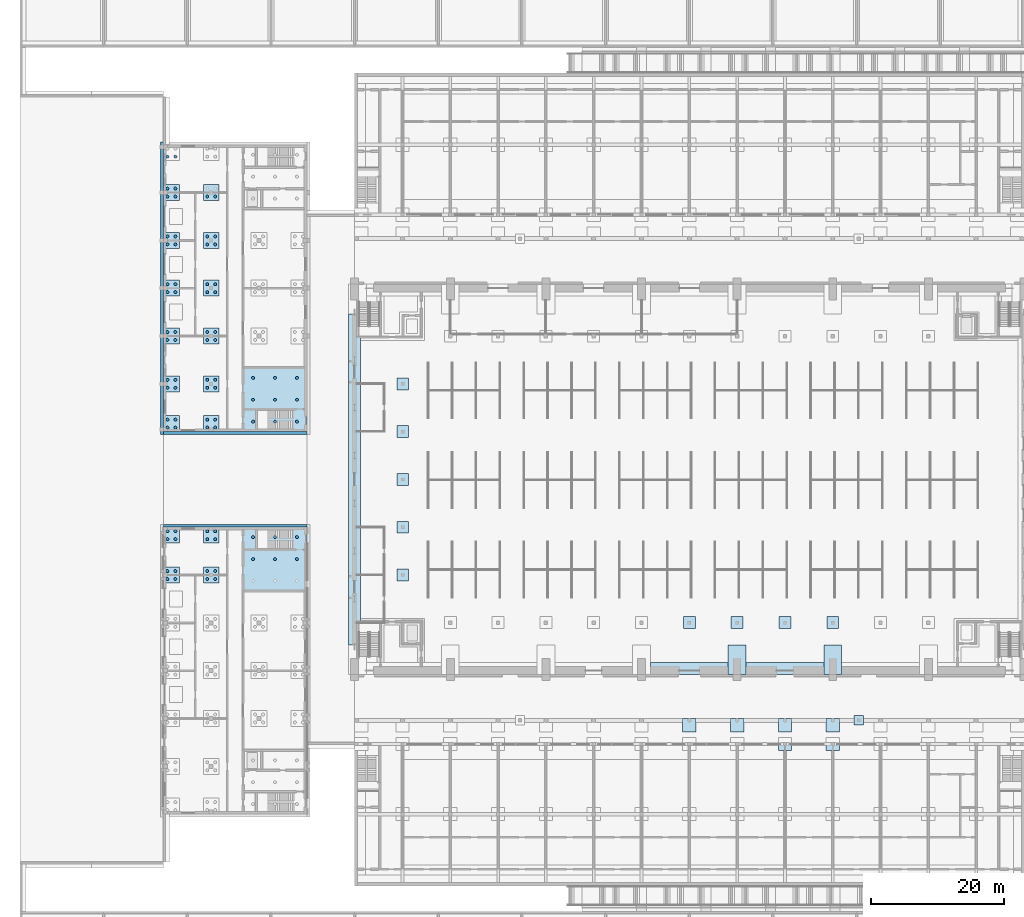
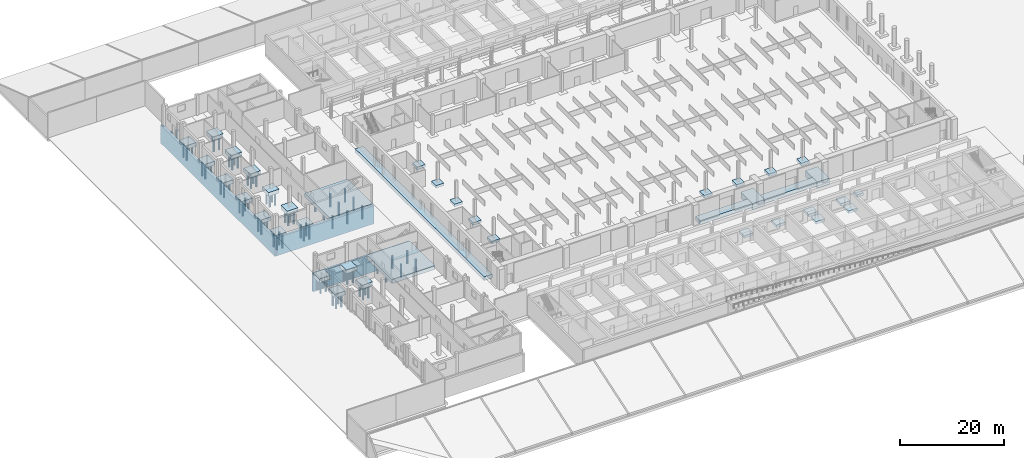
# One storey, part 4 of 73: 79 piles, 42 footings.
"""IFC4 building model written with IfcOpenShell, lengths in metres."""

from ifc_helpers import new_model, si_unit, direction, frame, origin, origin_2d, place, context, subcontext, project, spatial, polyline, rectangle, circle, outline, extrude, material, layer, layer_set, material_profile, profile_set, type_object, element, save


model = new_model("IFC4")

# Units and contexts
model_context = context("Model", 3, precision=1e-05, world=origin(), true_north=direction((0.0, 1.0)))
body_context = subcontext(model_context, "Body", "Model", "MODEL_VIEW")
ifc_project = project(units=[si_unit("LENGTHUNIT", "METRE"), si_unit("AREAUNIT", "SQUARE_METRE"), si_unit("VOLUMEUNIT", "CUBIC_METRE"), si_unit("PLANEANGLEUNIT", "RADIAN"), si_unit("MASSUNIT", "GRAM", prefix="KILO")], contexts=[model_context])

# Site, building, storey
site_placement = place(None, origin())
site = spatial("IfcSite", under=ifc_project, at=site_placement, CompositionType="ELEMENT")
building_placement = place(site_placement, origin())
building = spatial("IfcBuilding", under=site, at=building_placement, Name="Alderwick Market Hall", CompositionType="ELEMENT")
storey_placement = place(building_placement, origin())
storey = spatial("IfcBuildingStorey", under=building, at=storey_placement, Name="LG", CompositionType="ELEMENT", Elevation=0.0)

# Footings
ifc_material_1 = material(Name="Concrete 4000 psi (f'c 28 MPa)", Category="concrete")
footing_type_1 = type_object("IfcFootingType", Name="A Pad Footing 2000x2000x600", PredefinedType="PAD_FOOTING", material=ifc_material_1)
footing_1_placement = place(storey_placement, frame((0.0, 0.0, -0.60009765625)))
element("IfcFooting", 1, at=footing_1_placement, inside=storey, type_object=footing_type_1, Name="A.S.pad.F09", PredefinedType="PAD_FOOTING", context=body_context, shape_type="SweptSolid", body=[
    extrude(outline(polyline([(114.199951171875, 38.35009765625), (116.199951171875, 38.35009765625), (116.199951171875, 40.35009765625), (114.199951171875, 40.35009765625), (114.199951171875, 38.35009765625)])), origin(), (0.0, 0.0, 1.0), 0.60009765625),
])
footing_2_placement = place(storey_placement, frame((0.0, 0.0, -0.60009765625)))
element("IfcFooting", 2, at=footing_2_placement, inside=storey, type_object=footing_type_1, Name="A.S.pad.F10", PredefinedType="PAD_FOOTING", context=body_context, shape_type="SweptSolid", body=[
    extrude(outline(polyline([(121.39990234375, 38.35009765625), (123.39990234375, 38.35009765625), (123.39990234375, 40.35009765625), (121.39990234375, 40.35009765625), (121.39990234375, 38.35009765625)])), origin(), (0.0, 0.0, 1.0), 0.60009765625),
])
footing_3_placement = place(storey_placement, frame((0.0, 0.0, -0.60009765625)))
element("IfcFooting", 3, at=footing_3_placement, inside=storey, type_object=footing_type_1, Name="A.S.pad.C07", PredefinedType="PAD_FOOTING", context=body_context, shape_type="SweptSolid", body=[
    extrude(outline(polyline([(99.800048828125, 41.199951171875), (101.800048828125, 41.199951171875), (101.800048828125, 43.199951171875), (99.800048828125, 43.199951171875), (99.800048828125, 41.199951171875)])), origin(), (0.0, 0.0, 1.0), 0.60009765625),
])
footing_4_placement = place(storey_placement, frame((0.0, 0.0, -0.60009765625)))
element("IfcFooting", 4, at=footing_4_placement, inside=storey, type_object=footing_type_1, Name="A.S.pad.C08", PredefinedType="PAD_FOOTING", context=body_context, shape_type="SweptSolid", body=[
    extrude(outline(polyline([(107.0, 41.199951171875), (109.0, 41.199951171875), (109.0, 43.199951171875), (107.0, 43.199951171875), (107.0, 41.199951171875)])), origin(), (0.0, 0.0, 1.0), 0.60009765625),
])
footing_5_placement = place(storey_placement, frame((0.0, 0.0, -0.60009765625)))
element("IfcFooting", 5, at=footing_5_placement, inside=storey, type_object=footing_type_1, Name="A.S.pad.C09", PredefinedType="PAD_FOOTING", context=body_context, shape_type="SweptSolid", body=[
    extrude(outline(polyline([(114.199951171875, 41.199951171875), (116.199951171875, 41.199951171875), (116.199951171875, 43.199951171875), (114.199951171875, 43.199951171875), (114.199951171875, 41.199951171875)])), origin(), (0.0, 0.0, 1.0), 0.60009765625),
])
footing_6_placement = place(storey_placement, frame((0.0, 0.0, -0.60009765625)))
element("IfcFooting", 6, at=footing_6_placement, inside=storey, type_object=footing_type_1, Name="A.S.pad.C10", PredefinedType="PAD_FOOTING", context=body_context, shape_type="SweptSolid", body=[
    extrude(outline(polyline([(121.39990234375, 41.199951171875), (123.39990234375, 41.199951171875), (123.39990234375, 43.199951171875), (121.39990234375, 43.199951171875), (121.39990234375, 41.199951171875)])), origin(), (0.0, 0.0, 1.0), 0.60009765625),
])

# Piles
ifc_material_2 = material(Name="Concrete 5000 psi (f'c 35 MPa)", Category="concrete")
ifc_material_profile = material_profile(ifc_material_2, circle(Radius=0.22509765625, at=origin_2d()), Name="B Bored Pile D450")
ifc_profile_set = profile_set([ifc_material_profile], Name="Concrete 5000 psi (f'c 35 MPa)")
pile_type = type_object("IfcPileType", Name="B Bored Pile D450", PredefinedType="BORED", material=ifc_profile_set)
for number, where, z_axis, x_axis, name in (
    (7, (22.199951171875, 127.800048828125, -0.824951171875), (0.0, 0.0, -1.0), (1.0, 0.0, 0.0), "B.N.cap.003-003.pile1"),
    (8, (23.39990234375, 127.800048828125, -0.824951171875), (0.0, 0.0, -1.0), (1.0, 0.0, 0.0), "B.N.cap.003-003.pile2"),
    (9, (22.199951171875, 121.800048828125, -0.824951171875), (0.0, 0.0, -1.0), (1.0, 0.0, 0.0), "B.N.cap.003-072.pile1"),
    (10, (23.39990234375, 121.800048828125, -0.824951171875), (0.0, 0.0, -1.0), (1.0, 0.0, 0.0), "B.N.cap.003-072.pile2"),
    (11, (22.199951171875, 123.0, -0.824951171875), (0.0, 0.0, -1.0), (1.0, 0.0, 0.0), "B.N.cap.003-072.pile3"),
    (12, (23.39990234375, 123.0, -0.824951171875), (0.0, 0.0, -1.0), (1.0, 0.0, 0.0), "B.N.cap.003-072.pile4"),
    (13, (22.199951171875, 114.60009765625, -0.824951171875), (0.0, 0.0, -1.0), (1.0, 0.0, 0.0), "B.N.cap.003-144.pile1"),
    (14, (23.39990234375, 114.60009765625, -0.824951171875), (0.0, 0.0, -1.0), (1.0, 0.0, 0.0), "B.N.cap.003-144.pile2"),
    (15, (22.199951171875, 115.800048828125, -0.824951171875), (0.0, 0.0, -1.0), (1.0, 0.0, 0.0), "B.N.cap.003-144.pile3"),
    (16, (23.39990234375, 115.800048828125, -0.824951171875), (0.0, 0.0, -1.0), (1.0, 0.0, 0.0), "B.N.cap.003-144.pile4"),
    (17, (22.199951171875, 107.39990234375, -0.824951171875), (0.0, 0.0, -1.0), (1.0, 0.0, 0.0), "B.N.cap.003-216.pile1"),
    (18, (23.39990234375, 107.39990234375, -0.824951171875), (0.0, 0.0, -1.0), (1.0, 0.0, 0.0), "B.N.cap.003-216.pile2"),
    (19, (22.199951171875, 108.60009765625, -0.824951171875), (0.0, 0.0, -1.0), (1.0, 0.0, 0.0), "B.N.cap.003-216.pile3"),
    (20, (23.39990234375, 108.60009765625, -0.824951171875), (0.0, 0.0, -1.0), (1.0, 0.0, 0.0), "B.N.cap.003-216.pile4"),
    (21, (22.199951171875, 100.199951171875, -0.824951171875), (0.0, 0.0, -1.0), (1.0, 0.0, 0.0), "B.N.cap.003-288.pile1"),
    (22, (23.39990234375, 100.199951171875, -0.824951171875), (0.0, 0.0, -1.0), (1.0, 0.0, 0.0), "B.N.cap.003-288.pile2"),
    (23, (22.199951171875, 101.39990234375, -0.824951171875), (0.0, 0.0, -1.0), (1.0, 0.0, 0.0), "B.N.cap.003-288.pile3"),
    (24, (23.39990234375, 101.39990234375, -0.824951171875), (0.0, 0.0, -1.0), (1.0, 0.0, 0.0), "B.N.cap.003-288.pile4"),
    (25, (22.199951171875, 93.0, -0.824951171875), (0.0, 0.0, -1.0), (1.0, 0.0, 0.0), "B.N.cap.003-360.pile1"),
    (26, (23.39990234375, 93.0, -0.824951171875), (0.0, 0.0, -1.0), (1.0, 0.0, 0.0), "B.N.cap.003-360.pile2"),
    (27, (22.199951171875, 94.199951171875, -0.824951171875), (0.0, 0.0, -1.0), (1.0, 0.0, 0.0), "B.N.cap.003-360.pile3"),
    (28, (23.39990234375, 94.199951171875, -0.824951171875), (0.0, 0.0, -1.0), (1.0, 0.0, 0.0), "B.N.cap.003-360.pile4"),
    (29, (22.199951171875, 87.0, -0.824951171875), (0.0, 0.0, -1.0), (1.0, 0.0, 0.0), "B.N.cap.003-429.pile1"),
    (30, (23.39990234375, 87.0, -0.824951171875), (0.0, 0.0, -1.0), (1.0, 0.0, 0.0), "B.N.cap.003-429.pile2"),
    (31, (22.199951171875, 88.199951171875, -0.824951171875), (0.0, 0.0, -1.0), (1.0, 0.0, 0.0), "B.N.cap.003-429.pile3"),
    (32, (23.39990234375, 88.199951171875, -0.824951171875), (0.0, 0.0, -1.0), (1.0, 0.0, 0.0), "B.N.cap.003-429.pile4"),
    (33, (28.199951171875, 121.800048828125, -0.824951171875), (0.0, 0.0, -1.0), (1.0, 0.0, 0.0), "B.N.cap.072-072.pile1"),
    (34, (29.39990234375, 121.800048828125, -0.824951171875), (0.0, 0.0, -1.0), (1.0, 0.0, 0.0), "B.N.cap.072-072.pile2"),
    (35, (28.199951171875, 114.60009765625, -0.824951171875), (0.0, 0.0, -1.0), (1.0, 0.0, 0.0), "B.N.cap.072-144.pile1"),
    (36, (29.39990234375, 114.60009765625, -0.824951171875), (0.0, 0.0, -1.0), (1.0, 0.0, 0.0), "B.N.cap.072-144.pile2"),
    (37, (28.199951171875, 115.800048828125, -0.824951171875), (0.0, 0.0, -1.0), (1.0, 0.0, 0.0), "B.N.cap.072-144.pile3"),
    (38, (29.39990234375, 115.800048828125, -0.824951171875), (0.0, 0.0, -1.0), (1.0, 0.0, 0.0), "B.N.cap.072-144.pile4"),
    (39, (28.199951171875, 107.39990234375, -0.824951171875), (0.0, 0.0, -1.0), (1.0, 0.0, 0.0), "B.N.cap.072-216.pile1"),
    (40, (29.39990234375, 107.39990234375, -0.824951171875), (0.0, 0.0, -1.0), (1.0, 0.0, 0.0), "B.N.cap.072-216.pile2"),
    (41, (28.199951171875, 108.60009765625, -0.824951171875), (0.0, 0.0, -1.0), (1.0, 0.0, 0.0), "B.N.cap.072-216.pile3"),
    (42, (29.39990234375, 108.60009765625, -0.824951171875), (0.0, 0.0, -1.0), (1.0, 0.0, 0.0), "B.N.cap.072-216.pile4"),
    (43, (28.199951171875, 100.199951171875, -0.824951171875), (0.0, 0.0, -1.0), (1.0, 0.0, 0.0), "B.N.cap.072-288.pile1"),
    (44, (29.39990234375, 100.199951171875, -0.824951171875), (0.0, 0.0, -1.0), (1.0, 0.0, 0.0), "B.N.cap.072-288.pile2"),
    (45, (28.199951171875, 101.39990234375, -0.824951171875), (0.0, 0.0, -1.0), (1.0, 0.0, 0.0), "B.N.cap.072-288.pile3"),
    (46, (29.39990234375, 101.39990234375, -0.824951171875), (0.0, 0.0, -1.0), (1.0, 0.0, 0.0), "B.N.cap.072-288.pile4"),
    (47, (28.199951171875, 93.0, -0.824951171875), (0.0, 0.0, -1.0), (1.0, 0.0, 0.0), "B.N.cap.072-360.pile1"),
    (48, (29.39990234375, 93.0, -0.824951171875), (0.0, 0.0, -1.0), (1.0, 0.0, 0.0), "B.N.cap.072-360.pile2"),
    (49, (28.199951171875, 94.199951171875, -0.824951171875), (0.0, 0.0, -1.0), (1.0, 0.0, 0.0), "B.N.cap.072-360.pile3"),
    (50, (29.39990234375, 94.199951171875, -0.824951171875), (0.0, 0.0, -1.0), (1.0, 0.0, 0.0), "B.N.cap.072-360.pile4"),
    (51, (28.199951171875, 87.0, -0.824951171875), (0.0, 0.0, -1.0), (1.0, 0.0, 0.0), "B.N.cap.072-429.pile1"),
    (52, (29.39990234375, 87.0, -0.824951171875), (0.0, 0.0, -1.0), (1.0, 0.0, 0.0), "B.N.cap.072-429.pile2"),
    (53, (28.199951171875, 88.199951171875, -0.824951171875), (0.0, 0.0, -1.0), (1.0, 0.0, 0.0), "B.N.cap.072-429.pile3"),
    (54, (29.39990234375, 88.199951171875, -0.824951171875), (0.0, 0.0, -1.0), (1.0, 0.0, 0.0), "B.N.cap.072-429.pile4"),
    (55, (35.10009765625, 87.89990234375, -0.875), (0.0, 0.0, -1.0), (1.0, 0.0, 0.0), "B.N.raft.N-2.pile1"),
    (56, (38.39990234375, 87.89990234375, -0.875), (0.0, 0.0, -1.0), (1.0, 0.0, 0.0), "B.N.raft.N-2.pile2"),
    (57, (41.699951171875, 87.89990234375, -0.875), (0.0, 0.0, -1.0), (1.0, 0.0, 0.0), "B.N.raft.N-2.pile3"),
    (58, (35.10009765625, 91.199951171875, -0.875), (0.0, 0.0, -1.0), (1.0, 0.0, 0.0), "B.N.raft.N-2.pile4"),
    (59, (38.39990234375, 91.199951171875, -0.875), (0.0, 0.0, -1.0), (1.0, 0.0, 0.0), "B.N.raft.N-2.pile5"),
    (60, (41.699951171875, 91.199951171875, -0.875), (0.0, 0.0, -1.0), (1.0, 0.0, 0.0), "B.N.raft.N-2.pile6"),
    (61, (35.10009765625, 94.5, -0.875), (0.0, 0.0, -1.0), (1.0, 0.0, 0.0), "B.N.raft.N-2.pile7"),
    (62, (38.39990234375, 94.5, -0.875), (0.0, 0.0, -1.0), (1.0, 0.0, 0.0), "B.N.raft.N-2.pile8"),
    (63, (41.699951171875, 94.5, -0.875), (0.0, 0.0, -1.0), (1.0, 0.0, 0.0), "B.N.raft.N-2.pile9"),
    (64, (22.199951171875, 64.199951171875, -0.824951171875), (0.0, 0.0, -1.0), (1.0, 0.0, 0.0), "B.S.cap.003-360.pile1"),
    (65, (23.39990234375, 64.199951171875, -0.824951171875), (0.0, 0.0, -1.0), (1.0, 0.0, 0.0), "B.S.cap.003-360.pile2"),
    (66, (22.199951171875, 65.39990234375, -0.824951171875), (0.0, 0.0, -1.0), (1.0, 0.0, 0.0), "B.S.cap.003-360.pile3"),
    (67, (23.39990234375, 65.39990234375, -0.824951171875), (0.0, 0.0, -1.0), (1.0, 0.0, 0.0), "B.S.cap.003-360.pile4"),
    (68, (22.199951171875, 70.199951171875, -0.824951171875), (0.0, 0.0, -1.0), (1.0, 0.0, 0.0), "B.S.cap.003-429.pile1"),
    (69, (23.39990234375, 70.199951171875, -0.824951171875), (0.0, 0.0, -1.0), (1.0, 0.0, 0.0), "B.S.cap.003-429.pile2"),
    (70, (22.199951171875, 71.39990234375, -0.824951171875), (0.0, 0.0, -1.0), (1.0, 0.0, 0.0), "B.S.cap.003-429.pile3"),
    (71, (23.39990234375, 71.39990234375, -0.824951171875), (0.0, 0.0, -1.0), (1.0, 0.0, 0.0), "B.S.cap.003-429.pile4"),
    (72, (28.199951171875, 64.199951171875, -0.824951171875), (0.0, 0.0, -1.0), (1.0, 0.0, 0.0), "B.S.cap.072-360.pile1"),
    (73, (29.39990234375, 64.199951171875, -0.824951171875), (0.0, 0.0, -1.0), (1.0, 0.0, 0.0), "B.S.cap.072-360.pile2"),
    (74, (28.199951171875, 65.39990234375, -0.824951171875), (0.0, 0.0, -1.0), (1.0, 0.0, 0.0), "B.S.cap.072-360.pile3"),
    (75, (29.39990234375, 65.39990234375, -0.824951171875), (0.0, 0.0, -1.0), (1.0, 0.0, 0.0), "B.S.cap.072-360.pile4"),
    (76, (28.199951171875, 70.199951171875, -0.824951171875), (0.0, 0.0, -1.0), (1.0, 0.0, 0.0), "B.S.cap.072-429.pile1"),
    (77, (29.39990234375, 70.199951171875, -0.824951171875), (0.0, 0.0, -1.0), (1.0, 0.0, 0.0), "B.S.cap.072-429.pile2"),
    (78, (28.199951171875, 71.39990234375, -0.824951171875), (0.0, 0.0, -1.0), (1.0, 0.0, 0.0), "B.S.cap.072-429.pile3"),
    (79, (29.39990234375, 71.39990234375, -0.824951171875), (0.0, 0.0, -1.0), (1.0, 0.0, 0.0), "B.S.cap.072-429.pile4"),
    (80, (35.10009765625, 67.199951171875, -0.875), (0.0, 0.0, -1.0), (1.0, 0.0, 0.0), "B.S.raft.S-2.pile4"),
    (81, (38.39990234375, 67.199951171875, -0.875), (0.0, 0.0, -1.0), (1.0, 0.0, 0.0), "B.S.raft.S-2.pile5"),
    (82, (41.699951171875, 67.199951171875, -0.875), (0.0, 0.0, -1.0), (1.0, 0.0, 0.0), "B.S.raft.S-2.pile6"),
    (83, (35.10009765625, 70.5, -0.875), (0.0, 0.0, -1.0), (1.0, 0.0, 0.0), "B.S.raft.S-2.pile7"),
    (84, (38.39990234375, 70.5, -0.875), (0.0, 0.0, -1.0), (1.0, 0.0, 0.0), "B.S.raft.S-2.pile8"),
    (85, (41.699951171875, 70.5, -0.875), (0.0, 0.0, -1.0), (1.0, 0.0, 0.0), "B.S.raft.S-2.pile9"),
):
    element("IfcPile", number, at=place(storey_placement, frame(where, z_axis=z_axis, x_axis=x_axis)), inside=storey, type_object=pile_type, Name=name, PredefinedType="BORED", context=body_context, shape_type="SweptSolid", body=[
        extrude(circle(Radius=0.22509765625, at=origin_2d()), origin(), (0.0, 0.0, 1.0), 3.074951171875),
    ])

# Footings
footing_type_2 = type_object("IfcFootingType", Name="B Core Raft 950", PredefinedType="PAD_FOOTING", material=ifc_material_2)
footing_7_placement = place(storey_placement, frame((0.0, 0.0, -0.949951171875)))
element("IfcFooting", 86, at=footing_7_placement, inside=storey, type_object=footing_type_2, Name="Core raft N-2", PredefinedType="PAD_FOOTING", context=body_context, shape_type="SweptSolid", body=[
    extrude(outline(polyline([(33.60009765625, 86.39990234375), (43.199951171875, 86.39990234375), (43.199951171875, 96.0), (33.60009765625, 96.0), (33.60009765625, 86.39990234375)])), origin(), (0.0, 0.0, 1.0), 0.949951171875),
])
footing_8_placement = place(storey_placement, frame((0.0, 0.0, -0.949951171875)))
element("IfcFooting", 87, at=footing_8_placement, inside=storey, type_object=footing_type_2, Name="Core raft S-2", PredefinedType="PAD_FOOTING", context=body_context, shape_type="SweptSolid", body=[
    extrude(outline(polyline([(33.60009765625, 62.39990234375), (43.199951171875, 62.39990234375), (43.199951171875, 72.0), (33.60009765625, 72.0), (33.60009765625, 62.39990234375)])), origin(), (0.0, 0.0, 1.0), 0.949951171875),
])
footing_type_3 = type_object("IfcFootingType", Name="B Pile Cap 2400x2400x900", PredefinedType="PILE_CAP", material=ifc_material_2)
footing_9_placement = place(storey_placement, frame((0.0, 0.0, -0.89990234375)))
element("IfcFooting", 88, at=footing_9_placement, inside=storey, type_object=footing_type_3, Name="B.N.cap.003-072", PredefinedType="PILE_CAP", context=body_context, shape_type="SweptSolid", body=[
    extrude(outline(polyline([(21.60009765625, 121.199951171875), (24.0, 121.199951171875), (24.0, 123.60009765625), (21.60009765625, 123.60009765625), (21.60009765625, 121.199951171875)])), origin(), (0.0, 0.0, 1.0), 0.89990234375),
])
footing_10_placement = place(storey_placement, frame((0.0, 0.0, -0.89990234375)))
element("IfcFooting", 89, at=footing_10_placement, inside=storey, type_object=footing_type_3, Name="B.N.cap.003-144", PredefinedType="PILE_CAP", context=body_context, shape_type="SweptSolid", body=[
    extrude(outline(polyline([(21.60009765625, 114.0), (24.0, 114.0), (24.0, 116.39990234375), (21.60009765625, 116.39990234375), (21.60009765625, 114.0)])), origin(), (0.0, 0.0, 1.0), 0.89990234375),
])
footing_11_placement = place(storey_placement, frame((0.0, 0.0, -0.89990234375)))
element("IfcFooting", 90, at=footing_11_placement, inside=storey, type_object=footing_type_3, Name="B.N.cap.003-216", PredefinedType="PILE_CAP", context=body_context, shape_type="SweptSolid", body=[
    extrude(outline(polyline([(21.60009765625, 106.800048828125), (24.0, 106.800048828125), (24.0, 109.199951171875), (21.60009765625, 109.199951171875), (21.60009765625, 106.800048828125)])), origin(), (0.0, 0.0, 1.0), 0.89990234375),
])
footing_12_placement = place(storey_placement, frame((0.0, 0.0, -0.89990234375)))
element("IfcFooting", 91, at=footing_12_placement, inside=storey, type_object=footing_type_3, Name="B.N.cap.003-288", PredefinedType="PILE_CAP", context=body_context, shape_type="SweptSolid", body=[
    extrude(outline(polyline([(21.60009765625, 99.60009765625), (24.0, 99.60009765625), (24.0, 102.0), (21.60009765625, 102.0), (21.60009765625, 99.60009765625)])), origin(), (0.0, 0.0, 1.0), 0.89990234375),
])
footing_13_placement = place(storey_placement, frame((0.0, 0.0, -0.89990234375)))
element("IfcFooting", 92, at=footing_13_placement, inside=storey, type_object=footing_type_3, Name="B.N.cap.003-360", PredefinedType="PILE_CAP", context=body_context, shape_type="SweptSolid", body=[
    extrude(outline(polyline([(21.60009765625, 92.39990234375), (24.0, 92.39990234375), (24.0, 94.800048828125), (21.60009765625, 94.800048828125), (21.60009765625, 92.39990234375)])), origin(), (0.0, 0.0, 1.0), 0.89990234375),
])
footing_14_placement = place(storey_placement, frame((0.0, 0.0, -0.89990234375)))
element("IfcFooting", 93, at=footing_14_placement, inside=storey, type_object=footing_type_3, Name="B.N.cap.003-429", PredefinedType="PILE_CAP", context=body_context, shape_type="SweptSolid", body=[
    extrude(outline(polyline([(21.60009765625, 86.39990234375), (24.0, 86.39990234375), (24.0, 88.800048828125), (21.60009765625, 88.800048828125), (21.60009765625, 86.39990234375)])), origin(), (0.0, 0.0, 1.0), 0.89990234375),
])
footing_15_placement = place(storey_placement, frame((0.0, 0.0, -0.89990234375)))
element("IfcFooting", 94, at=footing_15_placement, inside=storey, type_object=footing_type_3, Name="B.N.cap.072-072", PredefinedType="PILE_CAP", context=body_context, shape_type="SweptSolid", body=[
    extrude(outline(polyline([(27.60009765625, 121.199951171875), (30.0, 121.199951171875), (30.0, 123.60009765625), (27.60009765625, 123.60009765625), (27.60009765625, 121.199951171875)])), origin(), (0.0, 0.0, 1.0), 0.89990234375),
])
footing_16_placement = place(storey_placement, frame((0.0, 0.0, -0.89990234375)))
element("IfcFooting", 95, at=footing_16_placement, inside=storey, type_object=footing_type_3, Name="B.N.cap.072-144", PredefinedType="PILE_CAP", context=body_context, shape_type="SweptSolid", body=[
    extrude(outline(polyline([(27.60009765625, 114.0), (30.0, 114.0), (30.0, 116.39990234375), (27.60009765625, 116.39990234375), (27.60009765625, 114.0)])), origin(), (0.0, 0.0, 1.0), 0.89990234375),
])
footing_17_placement = place(storey_placement, frame((0.0, 0.0, -0.89990234375)))
element("IfcFooting", 96, at=footing_17_placement, inside=storey, type_object=footing_type_3, Name="B.N.cap.072-216", PredefinedType="PILE_CAP", context=body_context, shape_type="SweptSolid", body=[
    extrude(outline(polyline([(27.60009765625, 106.800048828125), (30.0, 106.800048828125), (30.0, 109.199951171875), (27.60009765625, 109.199951171875), (27.60009765625, 106.800048828125)])), origin(), (0.0, 0.0, 1.0), 0.89990234375),
])
footing_18_placement = place(storey_placement, frame((0.0, 0.0, -0.89990234375)))
element("IfcFooting", 97, at=footing_18_placement, inside=storey, type_object=footing_type_3, Name="B.N.cap.072-288", PredefinedType="PILE_CAP", context=body_context, shape_type="SweptSolid", body=[
    extrude(outline(polyline([(27.60009765625, 99.60009765625), (30.0, 99.60009765625), (30.0, 102.0), (27.60009765625, 102.0), (27.60009765625, 99.60009765625)])), origin(), (0.0, 0.0, 1.0), 0.89990234375),
])
footing_19_placement = place(storey_placement, frame((0.0, 0.0, -0.89990234375)))
element("IfcFooting", 98, at=footing_19_placement, inside=storey, type_object=footing_type_3, Name="B.N.cap.072-360", PredefinedType="PILE_CAP", context=body_context, shape_type="SweptSolid", body=[
    extrude(outline(polyline([(27.60009765625, 92.39990234375), (30.0, 92.39990234375), (30.0, 94.800048828125), (27.60009765625, 94.800048828125), (27.60009765625, 92.39990234375)])), origin(), (0.0, 0.0, 1.0), 0.89990234375),
])
footing_20_placement = place(storey_placement, frame((0.0, 0.0, -0.89990234375)))
element("IfcFooting", 99, at=footing_20_placement, inside=storey, type_object=footing_type_3, Name="B.N.cap.072-429", PredefinedType="PILE_CAP", context=body_context, shape_type="SweptSolid", body=[
    extrude(outline(polyline([(27.60009765625, 86.39990234375), (30.0, 86.39990234375), (30.0, 88.800048828125), (27.60009765625, 88.800048828125), (27.60009765625, 86.39990234375)])), origin(), (0.0, 0.0, 1.0), 0.89990234375),
])
footing_21_placement = place(storey_placement, frame((0.0, 0.0, -0.89990234375)))
element("IfcFooting", 100, at=footing_21_placement, inside=storey, type_object=footing_type_3, Name="B.S.cap.003-360", PredefinedType="PILE_CAP", context=body_context, shape_type="SweptSolid", body=[
    extrude(outline(polyline([(21.60009765625, 63.60009765625), (24.0, 63.60009765625), (24.0, 66.0), (21.60009765625, 66.0), (21.60009765625, 63.60009765625)])), origin(), (0.0, 0.0, 1.0), 0.89990234375),
])
footing_22_placement = place(storey_placement, frame((0.0, 0.0, -0.89990234375)))
element("IfcFooting", 101, at=footing_22_placement, inside=storey, type_object=footing_type_3, Name="B.S.cap.003-429", PredefinedType="PILE_CAP", context=body_context, shape_type="SweptSolid", body=[
    extrude(outline(polyline([(21.60009765625, 69.60009765625), (24.0, 69.60009765625), (24.0, 72.0), (21.60009765625, 72.0), (21.60009765625, 69.60009765625)])), origin(), (0.0, 0.0, 1.0), 0.89990234375),
])
footing_23_placement = place(storey_placement, frame((0.0, 0.0, -0.89990234375)))
element("IfcFooting", 102, at=footing_23_placement, inside=storey, type_object=footing_type_3, Name="B.S.cap.072-360", PredefinedType="PILE_CAP", context=body_context, shape_type="SweptSolid", body=[
    extrude(outline(polyline([(27.60009765625, 63.60009765625), (30.0, 63.60009765625), (30.0, 66.0), (27.60009765625, 66.0), (27.60009765625, 63.60009765625)])), origin(), (0.0, 0.0, 1.0), 0.89990234375),
])
footing_24_placement = place(storey_placement, frame((0.0, 0.0, -0.89990234375)))
element("IfcFooting", 103, at=footing_24_placement, inside=storey, type_object=footing_type_3, Name="B.S.cap.072-429", PredefinedType="PILE_CAP", context=body_context, shape_type="SweptSolid", body=[
    extrude(outline(polyline([(27.60009765625, 69.60009765625), (30.0, 69.60009765625), (30.0, 72.0), (27.60009765625, 72.0), (27.60009765625, 69.60009765625)])), origin(), (0.0, 0.0, 1.0), 0.89990234375),
])
footing_type_4 = type_object("IfcFootingType", Name="H Pad footing 1800x1800x600", PredefinedType="PAD_FOOTING", material=ifc_material_1)
footing_25_placement = place(storey_placement, frame((0.0, 0.0, -0.60009765625)))
element("IfcFooting", 104, at=footing_25_placement, inside=storey, type_object=footing_type_4, Name="Pad footing", PredefinedType="PAD_FOOTING", context=body_context, shape_type="SweptSolid", body=[
    extrude(outline(polyline([(99.89990234375, 56.739990234375), (99.89990234375, 58.5400390625), (101.699951171875, 58.5400390625), (101.699951171875, 56.739990234375), (99.89990234375, 56.739990234375)])), origin(), (0.0, 0.0, 1.0), 0.60009765625),
])
footing_26_placement = place(storey_placement, frame((0.0, 0.0, -0.60009765625)))
element("IfcFooting", 105, at=footing_26_placement, inside=storey, type_object=footing_type_4, Name="Pad footing", PredefinedType="PAD_FOOTING", context=body_context, shape_type="SweptSolid", body=[
    extrude(outline(polyline([(107.10009765625, 56.739990234375), (107.10009765625, 58.5400390625), (108.89990234375, 58.5400390625), (108.89990234375, 56.739990234375), (107.10009765625, 56.739990234375)])), origin(), (0.0, 0.0, 1.0), 0.60009765625),
])
footing_27_placement = place(storey_placement, frame((0.0, 0.0, -0.60009765625)))
element("IfcFooting", 106, at=footing_27_placement, inside=storey, type_object=footing_type_4, Name="Pad footing", PredefinedType="PAD_FOOTING", context=body_context, shape_type="SweptSolid", body=[
    extrude(outline(polyline([(114.300048828125, 56.739990234375), (114.300048828125, 58.5400390625), (116.10009765625, 58.5400390625), (116.10009765625, 56.739990234375), (114.300048828125, 56.739990234375)])), origin(), (0.0, 0.0, 1.0), 0.60009765625),
])
footing_28_placement = place(storey_placement, frame((0.0, 0.0, -0.60009765625)))
element("IfcFooting", 107, at=footing_28_placement, inside=storey, type_object=footing_type_4, Name="Pad footing", PredefinedType="PAD_FOOTING", context=body_context, shape_type="SweptSolid", body=[
    extrude(outline(polyline([(121.5, 56.739990234375), (121.5, 58.5400390625), (123.300048828125, 58.5400390625), (123.300048828125, 56.739990234375), (121.5, 56.739990234375)])), origin(), (0.0, 0.0, 1.0), 0.60009765625),
])
footing_29_placement = place(storey_placement, frame((0.0, 0.0, -0.60009765625)))
element("IfcFooting", 108, at=footing_29_placement, inside=storey, type_object=footing_type_4, Name="Pad footing", PredefinedType="PAD_FOOTING", context=body_context, shape_type="SweptSolid", body=[
    extrude(outline(polyline([(56.739990234375, 63.89990234375), (56.739990234375, 65.699951171875), (58.5400390625, 65.699951171875), (58.5400390625, 63.89990234375), (56.739990234375, 63.89990234375)])), origin(), (0.0, 0.0, 1.0), 0.60009765625),
])
footing_30_placement = place(storey_placement, frame((0.0, 0.0, -0.60009765625)))
element("IfcFooting", 109, at=footing_30_placement, inside=storey, type_object=footing_type_4, Name="Pad footing", PredefinedType="PAD_FOOTING", context=body_context, shape_type="SweptSolid", body=[
    extrude(outline(polyline([(56.739990234375, 71.10009765625), (56.739990234375, 72.89990234375), (58.5400390625, 72.89990234375), (58.5400390625, 71.10009765625), (56.739990234375, 71.10009765625)])), origin(), (0.0, 0.0, 1.0), 0.60009765625),
])
footing_31_placement = place(storey_placement, frame((0.0, 0.0, -0.60009765625)))
element("IfcFooting", 110, at=footing_31_placement, inside=storey, type_object=footing_type_4, Name="Pad footing", PredefinedType="PAD_FOOTING", context=body_context, shape_type="SweptSolid", body=[
    extrude(outline(polyline([(56.739990234375, 78.300048828125), (56.739990234375, 80.10009765625), (58.5400390625, 80.10009765625), (58.5400390625, 78.300048828125), (56.739990234375, 78.300048828125)])), origin(), (0.0, 0.0, 1.0), 0.60009765625),
])
footing_32_placement = place(storey_placement, frame((0.0, 0.0, -0.60009765625)))
element("IfcFooting", 111, at=footing_32_placement, inside=storey, type_object=footing_type_4, Name="Pad footing", PredefinedType="PAD_FOOTING", context=body_context, shape_type="SweptSolid", body=[
    extrude(outline(polyline([(56.739990234375, 85.5), (56.739990234375, 87.300048828125), (58.5400390625, 87.300048828125), (58.5400390625, 85.5), (56.739990234375, 85.5)])), origin(), (0.0, 0.0, 1.0), 0.60009765625),
])
footing_33_placement = place(storey_placement, frame((0.0, 0.0, -0.60009765625)))
element("IfcFooting", 112, at=footing_33_placement, inside=storey, type_object=footing_type_4, Name="Pad footing", PredefinedType="PAD_FOOTING", context=body_context, shape_type="SweptSolid", body=[
    extrude(outline(polyline([(56.739990234375, 92.699951171875), (56.739990234375, 94.5), (58.5400390625, 94.5), (58.5400390625, 92.699951171875), (56.739990234375, 92.699951171875)])), origin(), (0.0, 0.0, 1.0), 0.60009765625),
])
footing_type_5 = type_object("IfcFootingType", Name="H Pad footing 2700x4500x1500", PredefinedType="PAD_FOOTING", material=ifc_material_1)
for number, where, z_axis, x_axis, name in (
    (113, (108.0, 52.050048828125, -1.5), (0.0, 0.0, 1.0), (1.0, 0.0, 0.0), "Pier footing S5"),
    (114, (122.39990234375, 52.050048828125, -1.5), (0.0, 0.0, 1.0), (1.0, 0.0, 0.0), "Pier footing S6"),
):
    element("IfcFooting", number, at=place(storey_placement, frame(where, z_axis=z_axis, x_axis=x_axis)), inside=storey, type_object=footing_type_5, Name=name, PredefinedType="PAD_FOOTING", context=body_context, shape_type="SweptSolid", body=[
        extrude(rectangle(XDim=2.699951171875, YDim=4.5, at=origin_2d()), origin(), (0.0, 0.0, 1.0), 1.5),
    ])
footing_type_6 = type_object("IfcFootingType", Name="H Strip footing 900", PredefinedType="STRIP_FOOTING", material=ifc_material_1)
footing_34_placement = place(storey_placement, frame((0.0, 0.0, -0.89990234375)))
element("IfcFooting", 115, at=footing_34_placement, inside=storey, type_object=footing_type_6, Name="Strip footing", PredefinedType="STRIP_FOOTING", context=body_context, shape_type="SweptSolid", body=[
    extrude(outline(polyline([(106.64990234375, 51.60009765625), (106.64990234375, 49.800048828125), (94.949951171875, 49.800048828125), (94.949951171875, 51.60009765625), (106.64990234375, 51.60009765625)])), origin(), (0.0, 0.0, 1.0), 0.89990234375),
])
footing_35_placement = place(storey_placement, frame((0.0, 0.0, -0.89990234375)))
element("IfcFooting", 116, at=footing_35_placement, inside=storey, type_object=footing_type_6, Name="Strip footing", PredefinedType="STRIP_FOOTING", context=body_context, shape_type="SweptSolid", body=[
    extrude(outline(polyline([(121.050048828125, 51.60009765625), (121.050048828125, 49.800048828125), (109.35009765625, 49.800048828125), (109.35009765625, 51.60009765625), (121.050048828125, 51.60009765625)])), origin(), (0.0, 0.0, 1.0), 0.89990234375),
])
footing_36_placement = place(storey_placement, frame((0.0, 0.0, -0.89990234375)))
element("IfcFooting", 117, at=footing_36_placement, inside=storey, type_object=footing_type_6, Name="Strip footing", PredefinedType="STRIP_FOOTING", context=body_context, shape_type="SweptSolid", body=[
    extrude(outline(polyline([(51.300048828125, 54.300048828125), (49.5, 54.300048828125), (49.5, 104.10009765625), (51.300048828125, 104.10009765625), (51.300048828125, 54.300048828125)])), origin(), (0.0, 0.0, 1.0), 0.89990234375),
])
ifc_layer = layer(ifc_material_2, 0.60009765625)
ifc_layer_set = layer_set([ifc_layer], Name="Concrete 5000 psi (f'c 35 MPa)")
footing_type_7 = type_object("IfcFootingType", Name="P Pad Footing 1400x1400x600", PredefinedType="PAD_FOOTING", material=ifc_layer_set)
footing_37_placement = place(storey_placement, frame((0.0, 0.0, -0.60009765625)))
element("IfcFooting", 118, at=footing_37_placement, inside=storey, type_object=footing_type_7, Name="P.P4.pier.a.pad", PredefinedType="PAD_FOOTING", context=body_context, shape_type="SweptSolid", body=[
    extrude(outline(polyline([(125.60009765625, 42.25), (127.0, 42.25), (127.0, 43.64990234375), (125.60009765625, 43.64990234375), (125.60009765625, 42.25)])), origin(), (0.0, 0.0, 1.0), 0.60009765625),
])
footing_type_8 = type_object("IfcFootingType", Name="S Perimeter Pile Wall 450", PredefinedType="STRIP_FOOTING", material=ifc_material_2)
footing_38_placement = place(storey_placement, frame((0.0, 0.0, -4.5)))
element("IfcFooting", 119, at=footing_38_placement, inside=storey, type_object=footing_type_8, Name="Pile wall Sn 04", PredefinedType="STRIP_FOOTING", context=body_context, shape_type="SweptSolid", body=[
    extrude(outline(polyline([(21.60009765625, 72.0), (24.0, 72.0), (27.60009765625, 72.0), (30.0, 72.0), (33.60009765625, 72.0), (43.199951171875, 72.0), (43.199951171875, 72.449951171875), (21.60009765625, 72.449951171875), (21.60009765625, 72.0)])), origin(), (0.0, 0.0, 1.0), 4.25),
])
footing_39_placement = place(storey_placement, frame((0.0, 0.0, -4.5)))
element("IfcFooting", 120, at=footing_39_placement, inside=storey, type_object=footing_type_8, Name="Pile wall Nw 05", PredefinedType="STRIP_FOOTING", context=body_context, shape_type="SweptSolid", body=[
    extrude(outline(polyline([(21.60009765625, 86.39990234375), (21.60009765625, 88.800048828125), (21.60009765625, 92.39990234375), (21.60009765625, 94.800048828125), (21.60009765625, 99.60009765625), (21.60009765625, 102.0), (21.60009765625, 106.800048828125), (21.60009765625, 109.199951171875), (21.60009765625, 114.0), (21.60009765625, 116.39990234375), (21.60009765625, 121.199951171875), (21.60009765625, 123.60009765625), (21.60009765625, 127.199951171875), (21.60009765625, 129.60009765625), (21.60009765625, 129.610107421875), (21.60009765625, 130.050048828125), (21.14990234375, 130.050048828125), (21.14990234375, 85.949951171875), (21.60009765625, 85.949951171875), (21.60009765625, 86.39990234375)])), origin(), (0.0, 0.0, 1.0), 4.25),
])
footing_40_placement = place(storey_placement, frame((0.0, 0.0, -4.5)))
element("IfcFooting", 121, at=footing_40_placement, inside=storey, type_object=footing_type_8, Name="Pile wall Ns 07", PredefinedType="STRIP_FOOTING", context=body_context, shape_type="SweptSolid", body=[
    extrude(outline(polyline([(43.199951171875, 86.39990234375), (33.60009765625, 86.39990234375), (30.0, 86.39990234375), (27.60009765625, 86.39990234375), (24.0, 86.39990234375), (21.60009765625, 86.39990234375), (21.60009765625, 85.949951171875), (43.199951171875, 85.949951171875), (43.199951171875, 86.39990234375)])), origin(), (0.0, 0.0, 1.0), 4.25),
])

save(model, "model.ifc")
